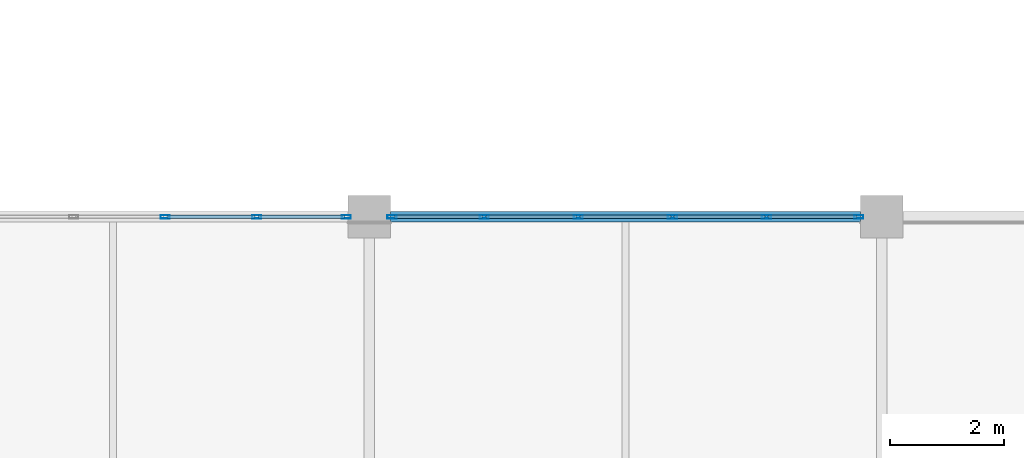
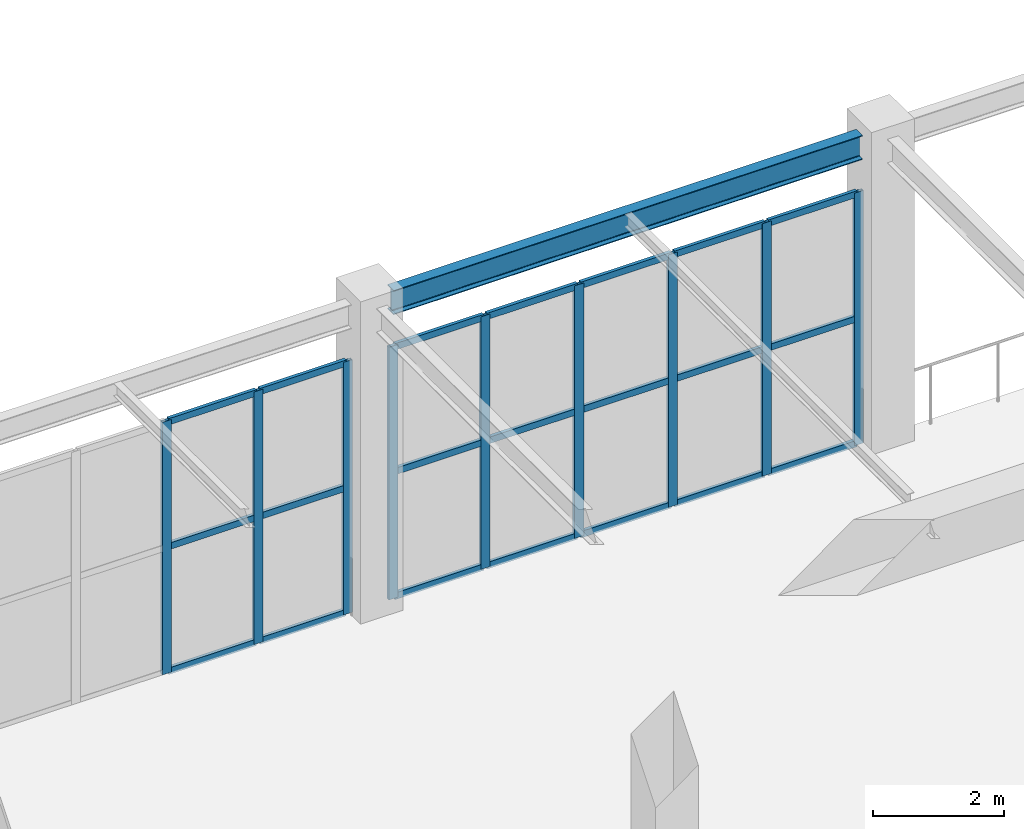
# One storey, part 158 of 223: 30 members, 1 beam, 2 elements without a shape of their own.
"""IFC4 building model written with IfcOpenShell, lengths in metres."""

from ifc_helpers import new_model, si_unit, direction, frame, origin, origin_2d, place, context, subcontext, project, spatial, hollow_rectangle, i_section, extrude, material, layer, layer_set, material_profile, profile_set, type_object, element, aggregate, save


model = new_model("IFC4")

# Units and contexts
model_context = context("Model", 3, precision=1e-05, world=origin(), true_north=direction((0.0, 1.0)))
body_context = subcontext(model_context, "Body", "Model", "MODEL_VIEW")
ifc_project = project(units=[si_unit("LENGTHUNIT", "METRE"), si_unit("AREAUNIT", "SQUARE_METRE"), si_unit("VOLUMEUNIT", "CUBIC_METRE"), si_unit("PLANEANGLEUNIT", "RADIAN"), si_unit("MASSUNIT", "GRAM", prefix="KILO")], contexts=[model_context])

# Site, building, storey
site_placement = place(None, origin())
site = spatial("IfcSite", under=ifc_project, at=site_placement, CompositionType="ELEMENT")
building_placement = place(site_placement, origin())
building = spatial("IfcBuilding", under=site, at=building_placement, Name="Dornveld Trade and Exhibition Forum", CompositionType="ELEMENT")
storey_placement = place(building_placement, frame((0.0, 0.0, 6.0)))
storey = spatial("IfcBuildingStorey", under=building, at=storey_placement, Name="L01", CompositionType="ELEMENT", Elevation=6.0)

# Beam
ifc_material_1 = material(Name="Steel S355J2", Category="steel")
ifc_material_profile_1 = material_profile(ifc_material_1, i_section(OverallWidth=0.18994140625, OverallDepth=0.449951171875, WebThickness=0.009521484375, FlangeThickness=0.0146484375, FilletRadius=0.02099609375, at=origin_2d()), Name="IPE 450")
ifc_profile_set_1 = profile_set([ifc_material_profile_1], Name="Steel S355J2")
beam_type = type_object("IfcBeamType", Name="BM-SEC-450", PredefinedType="BEAM", material=ifc_profile_set_1)
beam_placement = place(storey_placement, frame((180.37109375, 144.0, 5.554931640625), z_axis=(1.0, 0.0, 0.0), x_axis=(0.0, 1.0, 0.0)))
element("IfcBeam", 1, at=beam_placement, inside=storey, type_object=beam_type, Name="L01 X-girder 1768", PredefinedType="BEAM", context=body_context, shape_type="SweptSolid", body=[
    extrude(i_section(OverallWidth=0.18994140625, OverallDepth=0.449951171875, WebThickness=0.009521484375, FlangeThickness=0.0146484375, FilletRadius=0.02099609375, at=origin_2d()), origin(), (0.0, 0.0, 1.0), 8.2578125),
])

# Curtain wall, members
ifc_material_2 = material(Name="Dark-bronze anodised aluminium and low-E glass", Category="aluminium")
ifc_layer_1 = layer(ifc_material_2, 0.166015625)
ifc_layer_set_1 = layer_set([ifc_layer_1], Name="Dark-bronze anodised aluminium and low-E glass")
curtain_wall_type_1 = type_object("IfcCurtainWallType", Name="CW-SYS-08", PredefinedType="USERDEFINED", material=ifc_layer_set_1)
curtain_wall_1_placement = place(storey_placement, origin())
curtain_wall_1 = element("IfcCurtainWall", 2, at=curtain_wall_1_placement, inside=storey, type_object=curtain_wall_type_1, Name="L01 unitised curtain wall 152", ObjectType="UNITISED_CURTAIN_WALL", PredefinedType="USERDEFINED")
ifc_material_3 = material(Name="Dark-bronze anodised aluminium", Category="aluminium")
ifc_material_profile_2 = material_profile(ifc_material_3, hollow_rectangle(XDim=0.06005859375, YDim=0.159912109375, WallThickness=0.00390625, at=origin_2d()), Name="RHS 160x60x4")
ifc_profile_set_2 = profile_set([ifc_material_profile_2], Name="Dark-bronze anodised aluminium")
member_type_1 = type_object("IfcMemberType", Name="CW-MUL-160", PredefinedType="MULLION", material=ifc_profile_set_2)
member_1_placement = place(storey_placement, frame((179.59912109375, 144.0, -0.00390625), z_axis=(0.0, 0.0, 1.0), x_axis=(0.0, -1.0, 0.0)))
member_1 = element("IfcMember", 3, at=member_1_placement, type_object=member_type_1, Name="CW-08 mullion 1", PredefinedType="MULLION", context=body_context, shape_type="SweptSolid", body=[
    extrude(hollow_rectangle(XDim=0.06005859375, YDim=0.159912109375, WallThickness=0.00390625, at=origin_2d()), origin(), (0.0, 0.0, 1.0), 4.703857421875),
])
member_2_placement = place(storey_placement, frame((178.0224609375, 144.0, -0.00390625), z_axis=(0.0, 0.0, 1.0), x_axis=(0.0, -1.0, 0.0)))
member_2 = element("IfcMember", 4, at=member_2_placement, type_object=member_type_1, Name="CW-08 mullion 2", PredefinedType="MULLION", context=body_context, shape_type="SweptSolid", body=[
    extrude(hollow_rectangle(XDim=0.06005859375, YDim=0.159912109375, WallThickness=0.00390625, at=origin_2d()), origin(), (0.0, 0.0, 1.0), 4.703857421875),
])
member_3_placement = place(storey_placement, frame((176.415771484375, 144.0, -0.00390625), z_axis=(0.0, 0.0, 1.0), x_axis=(0.0, -1.0, 0.0)))
member_3 = element("IfcMember", 5, at=member_3_placement, type_object=member_type_1, Name="CW-08 mullion 3", PredefinedType="MULLION", context=body_context, shape_type="SweptSolid", body=[
    extrude(hollow_rectangle(XDim=0.06005859375, YDim=0.159912109375, WallThickness=0.00390625, at=origin_2d()), origin(), (0.0, 0.0, 1.0), 4.703857421875),
])

ifc_material_4 = material(Name="Dark-bronze anodised aluminium and low-E glass", Category="aluminium")
ifc_layer_2 = layer(ifc_material_4, 0.1689453125)
ifc_layer_set_2 = layer_set([ifc_layer_2], Name="Dark-bronze anodised aluminium and low-E glass")
curtain_wall_type_2 = type_object("IfcCurtainWallType", Name="CW-SYS-09", PredefinedType="USERDEFINED", material=ifc_layer_set_2)
curtain_wall_2_placement = place(storey_placement, origin())
curtain_wall_2 = element("IfcCurtainWall", 6, at=curtain_wall_2_placement, inside=storey, type_object=curtain_wall_type_2, Name="L01 unitised curtain wall 153", ObjectType="UNITISED_CURTAIN_WALL", PredefinedType="USERDEFINED")
member_4_placement = place(storey_placement, frame((188.59912109375, 144.0, -0.00390625), z_axis=(0.0, 0.0, 1.0), x_axis=(0.0, -1.0, 0.0)))
member_4 = element("IfcMember", 7, at=member_4_placement, type_object=member_type_1, Name="CW-09 mullion 1", PredefinedType="MULLION", context=body_context, shape_type="SweptSolid", body=[
    extrude(hollow_rectangle(XDim=0.06005859375, YDim=0.159912109375, WallThickness=0.00390625, at=origin_2d()), origin(), (0.0, 0.0, 1.0), 4.703857421875),
])
member_5_placement = place(storey_placement, frame((186.977294921875, 144.0, -0.00390625), z_axis=(0.0, 0.0, 1.0), x_axis=(0.0, -1.0, 0.0)))
member_5 = element("IfcMember", 8, at=member_5_placement, type_object=member_type_1, Name="CW-09 mullion 2", PredefinedType="MULLION", context=body_context, shape_type="SweptSolid", body=[
    extrude(hollow_rectangle(XDim=0.06005859375, YDim=0.159912109375, WallThickness=0.00390625, at=origin_2d()), origin(), (0.0, 0.0, 1.0), 4.703857421875),
])
member_6_placement = place(storey_placement, frame((185.32568359375, 144.0, -0.00390625), z_axis=(0.0, 0.0, 1.0), x_axis=(0.0, -1.0, 0.0)))
member_6 = element("IfcMember", 9, at=member_6_placement, type_object=member_type_1, Name="CW-09 mullion 3", PredefinedType="MULLION", context=body_context, shape_type="SweptSolid", body=[
    extrude(hollow_rectangle(XDim=0.06005859375, YDim=0.159912109375, WallThickness=0.00390625, at=origin_2d()), origin(), (0.0, 0.0, 1.0), 4.703857421875),
])
member_7_placement = place(storey_placement, frame((183.67431640625, 144.0, -0.00390625), z_axis=(0.0, 0.0, 1.0), x_axis=(0.0, -1.0, 0.0)))
member_7 = element("IfcMember", 10, at=member_7_placement, type_object=member_type_1, Name="CW-09 mullion 4", PredefinedType="MULLION", context=body_context, shape_type="SweptSolid", body=[
    extrude(hollow_rectangle(XDim=0.06005859375, YDim=0.159912109375, WallThickness=0.00390625, at=origin_2d()), origin(), (0.0, 0.0, 1.0), 4.703857421875),
])
member_8_placement = place(storey_placement, frame((182.022705078125, 144.0, -0.00390625), z_axis=(0.0, 0.0, 1.0), x_axis=(0.0, -1.0, 0.0)))
member_8 = element("IfcMember", 11, at=member_8_placement, type_object=member_type_1, Name="CW-09 mullion 5", PredefinedType="MULLION", context=body_context, shape_type="SweptSolid", body=[
    extrude(hollow_rectangle(XDim=0.06005859375, YDim=0.159912109375, WallThickness=0.00390625, at=origin_2d()), origin(), (0.0, 0.0, 1.0), 4.703857421875),
])
member_9_placement = place(storey_placement, frame((180.40087890625, 144.0, -0.00390625), z_axis=(0.0, 0.0, 1.0), x_axis=(0.0, -1.0, 0.0)))
member_9 = element("IfcMember", 12, at=member_9_placement, type_object=member_type_1, Name="CW-09 mullion 6", PredefinedType="MULLION", context=body_context, shape_type="SweptSolid", body=[
    extrude(hollow_rectangle(XDim=0.06005859375, YDim=0.159912109375, WallThickness=0.00390625, at=origin_2d()), origin(), (0.0, 0.0, 1.0), 4.703857421875),
])

# Member
ifc_material_5 = material(Name="Dark-bronze anodised aluminium", Category="aluminium")
ifc_material_profile_3 = material_profile(ifc_material_5, hollow_rectangle(XDim=0.06005859375, YDim=0.1201171875, WallThickness=0.00390625, at=origin_2d()), Name="RHS 120x60x4")
ifc_profile_set_3 = profile_set([ifc_material_profile_3], Name="Dark-bronze anodised aluminium")
member_type_2 = type_object("IfcMemberType", Name="CW-TRN-120", PredefinedType="USERDEFINED", material=ifc_profile_set_3)
member_10_placement = place(storey_placement, frame((179.569091796875, 144.0, 0.02587890625), z_axis=(-1.0, 0.0, 0.0), x_axis=(0.0, -1.0, 0.0)))
member_10 = element("IfcMember", 13, at=member_10_placement, type_object=member_type_2, Name="CW-08 transom 1.1", ObjectType="TRANSOM", PredefinedType="USERDEFINED", context=body_context, shape_type="SweptSolid", body=[
    extrude(hollow_rectangle(XDim=0.06005859375, YDim=0.1201171875, WallThickness=0.00390625, at=origin_2d()), origin(), (0.0, 0.0, 1.0), 1.5166015625),
])

member_11_placement = place(storey_placement, frame((179.569091796875, 144.0, 2.347900390625), z_axis=(-1.0, 0.0, 0.0), x_axis=(0.0, -1.0, 0.0)))
member_11 = element("IfcMember", 14, at=member_11_placement, type_object=member_type_2, Name="CW-08 transom 1.2", ObjectType="TRANSOM", PredefinedType="USERDEFINED", context=body_context, shape_type="SweptSolid", body=[
    extrude(hollow_rectangle(XDim=0.06005859375, YDim=0.1201171875, WallThickness=0.00390625, at=origin_2d()), origin(), (0.0, 0.0, 1.0), 1.5166015625),
])

member_12_placement = place(storey_placement, frame((179.569091796875, 144.0, 4.669921875), z_axis=(-1.0, 0.0, 0.0), x_axis=(0.0, -1.0, 0.0)))
member_12 = element("IfcMember", 15, at=member_12_placement, type_object=member_type_2, Name="CW-08 transom 1.3", ObjectType="TRANSOM", PredefinedType="USERDEFINED", context=body_context, shape_type="SweptSolid", body=[
    extrude(hollow_rectangle(XDim=0.06005859375, YDim=0.1201171875, WallThickness=0.00390625, at=origin_2d()), origin(), (0.0, 0.0, 1.0), 1.5166015625),
])

member_13_placement = place(storey_placement, frame((177.992431640625, 144.0, 0.02587890625), z_axis=(-1.0, 0.0, 0.0), x_axis=(0.0, -1.0, 0.0)))
member_13 = element("IfcMember", 16, at=member_13_placement, type_object=member_type_2, Name="CW-08 transom 2.1", ObjectType="TRANSOM", PredefinedType="USERDEFINED", context=body_context, shape_type="SweptSolid", body=[
    extrude(hollow_rectangle(XDim=0.06005859375, YDim=0.1201171875, WallThickness=0.00390625, at=origin_2d()), origin(), (0.0, 0.0, 1.0), 1.546630859375),
])

member_14_placement = place(storey_placement, frame((177.992431640625, 144.0, 2.347900390625), z_axis=(-1.0, 0.0, 0.0), x_axis=(0.0, -1.0, 0.0)))
member_14 = element("IfcMember", 17, at=member_14_placement, type_object=member_type_2, Name="CW-08 transom 2.2", ObjectType="TRANSOM", PredefinedType="USERDEFINED", context=body_context, shape_type="SweptSolid", body=[
    extrude(hollow_rectangle(XDim=0.06005859375, YDim=0.1201171875, WallThickness=0.00390625, at=origin_2d()), origin(), (0.0, 0.0, 1.0), 1.546630859375),
])

member_15_placement = place(storey_placement, frame((177.992431640625, 144.0, 4.669921875), z_axis=(-1.0, 0.0, 0.0), x_axis=(0.0, -1.0, 0.0)))
member_15 = element("IfcMember", 18, at=member_15_placement, type_object=member_type_2, Name="CW-08 transom 2.3", ObjectType="TRANSOM", PredefinedType="USERDEFINED", context=body_context, shape_type="SweptSolid", body=[
    extrude(hollow_rectangle(XDim=0.06005859375, YDim=0.1201171875, WallThickness=0.00390625, at=origin_2d()), origin(), (0.0, 0.0, 1.0), 1.546630859375),
])

aggregate(curtain_wall_1, [member_1, member_2, member_3, member_10, member_11, member_12, member_13, member_14, member_15])

member_16_placement = place(storey_placement, frame((188.569091796875, 144.0, 0.02587890625), z_axis=(-1.0, 0.0, 0.0), x_axis=(0.0, -1.0, 0.0)))
member_16 = element("IfcMember", 19, at=member_16_placement, type_object=member_type_2, Name="CW-09 transom 1.1", ObjectType="TRANSOM", PredefinedType="USERDEFINED", context=body_context, shape_type="SweptSolid", body=[
    extrude(hollow_rectangle(XDim=0.06005859375, YDim=0.1201171875, WallThickness=0.00390625, at=origin_2d()), origin(), (0.0, 0.0, 1.0), 1.561767578125),
])

member_17_placement = place(storey_placement, frame((188.569091796875, 144.0, 2.347900390625), z_axis=(-1.0, 0.0, 0.0), x_axis=(0.0, -1.0, 0.0)))
member_17 = element("IfcMember", 20, at=member_17_placement, type_object=member_type_2, Name="CW-09 transom 1.2", ObjectType="TRANSOM", PredefinedType="USERDEFINED", context=body_context, shape_type="SweptSolid", body=[
    extrude(hollow_rectangle(XDim=0.06005859375, YDim=0.1201171875, WallThickness=0.00390625, at=origin_2d()), origin(), (0.0, 0.0, 1.0), 1.561767578125),
])

member_18_placement = place(storey_placement, frame((188.569091796875, 144.0, 4.669921875), z_axis=(-1.0, 0.0, 0.0), x_axis=(0.0, -1.0, 0.0)))
member_18 = element("IfcMember", 21, at=member_18_placement, type_object=member_type_2, Name="CW-09 transom 1.3", ObjectType="TRANSOM", PredefinedType="USERDEFINED", context=body_context, shape_type="SweptSolid", body=[
    extrude(hollow_rectangle(XDim=0.06005859375, YDim=0.1201171875, WallThickness=0.00390625, at=origin_2d()), origin(), (0.0, 0.0, 1.0), 1.561767578125),
])

member_19_placement = place(storey_placement, frame((186.947509765625, 144.0, 0.02587890625), z_axis=(-1.0, 0.0, 0.0), x_axis=(0.0, -1.0, 0.0)))
member_19 = element("IfcMember", 22, at=member_19_placement, type_object=member_type_2, Name="CW-09 transom 2.1", ObjectType="TRANSOM", PredefinedType="USERDEFINED", context=body_context, shape_type="SweptSolid", body=[
    extrude(hollow_rectangle(XDim=0.06005859375, YDim=0.1201171875, WallThickness=0.00390625, at=origin_2d()), origin(), (0.0, 0.0, 1.0), 1.591796875),
])

member_20_placement = place(storey_placement, frame((186.947509765625, 144.0, 2.347900390625), z_axis=(-1.0, 0.0, 0.0), x_axis=(0.0, -1.0, 0.0)))
member_20 = element("IfcMember", 23, at=member_20_placement, type_object=member_type_2, Name="CW-09 transom 2.2", ObjectType="TRANSOM", PredefinedType="USERDEFINED", context=body_context, shape_type="SweptSolid", body=[
    extrude(hollow_rectangle(XDim=0.06005859375, YDim=0.1201171875, WallThickness=0.00390625, at=origin_2d()), origin(), (0.0, 0.0, 1.0), 1.591796875),
])

member_21_placement = place(storey_placement, frame((186.947509765625, 144.0, 4.669921875), z_axis=(-1.0, 0.0, 0.0), x_axis=(0.0, -1.0, 0.0)))
member_21 = element("IfcMember", 24, at=member_21_placement, type_object=member_type_2, Name="CW-09 transom 2.3", ObjectType="TRANSOM", PredefinedType="USERDEFINED", context=body_context, shape_type="SweptSolid", body=[
    extrude(hollow_rectangle(XDim=0.06005859375, YDim=0.1201171875, WallThickness=0.00390625, at=origin_2d()), origin(), (0.0, 0.0, 1.0), 1.591796875),
])

member_22_placement = place(storey_placement, frame((185.2958984375, 144.0, 0.02587890625), z_axis=(-1.0, 0.0, 0.0), x_axis=(0.0, -1.0, 0.0)))
member_22 = element("IfcMember", 25, at=member_22_placement, type_object=member_type_2, Name="CW-09 transom 3.1", ObjectType="TRANSOM", PredefinedType="USERDEFINED", context=body_context, shape_type="SweptSolid", body=[
    extrude(hollow_rectangle(XDim=0.06005859375, YDim=0.1201171875, WallThickness=0.00390625, at=origin_2d()), origin(), (0.0, 0.0, 1.0), 1.591796875),
])

member_23_placement = place(storey_placement, frame((185.2958984375, 144.0, 2.347900390625), z_axis=(-1.0, 0.0, 0.0), x_axis=(0.0, -1.0, 0.0)))
member_23 = element("IfcMember", 26, at=member_23_placement, type_object=member_type_2, Name="CW-09 transom 3.2", ObjectType="TRANSOM", PredefinedType="USERDEFINED", context=body_context, shape_type="SweptSolid", body=[
    extrude(hollow_rectangle(XDim=0.06005859375, YDim=0.1201171875, WallThickness=0.00390625, at=origin_2d()), origin(), (0.0, 0.0, 1.0), 1.591796875),
])

member_24_placement = place(storey_placement, frame((185.2958984375, 144.0, 4.669921875), z_axis=(-1.0, 0.0, 0.0), x_axis=(0.0, -1.0, 0.0)))
member_24 = element("IfcMember", 27, at=member_24_placement, type_object=member_type_2, Name="CW-09 transom 3.3", ObjectType="TRANSOM", PredefinedType="USERDEFINED", context=body_context, shape_type="SweptSolid", body=[
    extrude(hollow_rectangle(XDim=0.06005859375, YDim=0.1201171875, WallThickness=0.00390625, at=origin_2d()), origin(), (0.0, 0.0, 1.0), 1.591796875),
])

member_25_placement = place(storey_placement, frame((183.644287109375, 144.0, 0.02587890625), z_axis=(-1.0, 0.0, 0.0), x_axis=(0.0, -1.0, 0.0)))
member_25 = element("IfcMember", 28, at=member_25_placement, type_object=member_type_2, Name="CW-09 transom 4.1", ObjectType="TRANSOM", PredefinedType="USERDEFINED", context=body_context, shape_type="SweptSolid", body=[
    extrude(hollow_rectangle(XDim=0.06005859375, YDim=0.1201171875, WallThickness=0.00390625, at=origin_2d()), origin(), (0.0, 0.0, 1.0), 1.591796875),
])

member_26_placement = place(storey_placement, frame((183.644287109375, 144.0, 2.347900390625), z_axis=(-1.0, 0.0, 0.0), x_axis=(0.0, -1.0, 0.0)))
member_26 = element("IfcMember", 29, at=member_26_placement, type_object=member_type_2, Name="CW-09 transom 4.2", ObjectType="TRANSOM", PredefinedType="USERDEFINED", context=body_context, shape_type="SweptSolid", body=[
    extrude(hollow_rectangle(XDim=0.06005859375, YDim=0.1201171875, WallThickness=0.00390625, at=origin_2d()), origin(), (0.0, 0.0, 1.0), 1.591796875),
])

member_27_placement = place(storey_placement, frame((183.644287109375, 144.0, 4.669921875), z_axis=(-1.0, 0.0, 0.0), x_axis=(0.0, -1.0, 0.0)))
member_27 = element("IfcMember", 30, at=member_27_placement, type_object=member_type_2, Name="CW-09 transom 4.3", ObjectType="TRANSOM", PredefinedType="USERDEFINED", context=body_context, shape_type="SweptSolid", body=[
    extrude(hollow_rectangle(XDim=0.06005859375, YDim=0.1201171875, WallThickness=0.00390625, at=origin_2d()), origin(), (0.0, 0.0, 1.0), 1.591796875),
])

member_28_placement = place(storey_placement, frame((181.99267578125, 144.0, 0.02587890625), z_axis=(-1.0, 0.0, 0.0), x_axis=(0.0, -1.0, 0.0)))
member_28 = element("IfcMember", 31, at=member_28_placement, type_object=member_type_2, Name="CW-09 transom 5.1", ObjectType="TRANSOM", PredefinedType="USERDEFINED", context=body_context, shape_type="SweptSolid", body=[
    extrude(hollow_rectangle(XDim=0.06005859375, YDim=0.1201171875, WallThickness=0.00390625, at=origin_2d()), origin(), (0.0, 0.0, 1.0), 1.561767578125),
])

member_29_placement = place(storey_placement, frame((181.99267578125, 144.0, 2.347900390625), z_axis=(-1.0, 0.0, 0.0), x_axis=(0.0, -1.0, 0.0)))
member_29 = element("IfcMember", 32, at=member_29_placement, type_object=member_type_2, Name="CW-09 transom 5.2", ObjectType="TRANSOM", PredefinedType="USERDEFINED", context=body_context, shape_type="SweptSolid", body=[
    extrude(hollow_rectangle(XDim=0.06005859375, YDim=0.1201171875, WallThickness=0.00390625, at=origin_2d()), origin(), (0.0, 0.0, 1.0), 1.561767578125),
])

member_30_placement = place(storey_placement, frame((181.99267578125, 144.0, 4.669921875), z_axis=(-1.0, 0.0, 0.0), x_axis=(0.0, -1.0, 0.0)))
member_30 = element("IfcMember", 33, at=member_30_placement, type_object=member_type_2, Name="CW-09 transom 5.3", ObjectType="TRANSOM", PredefinedType="USERDEFINED", context=body_context, shape_type="SweptSolid", body=[
    extrude(hollow_rectangle(XDim=0.06005859375, YDim=0.1201171875, WallThickness=0.00390625, at=origin_2d()), origin(), (0.0, 0.0, 1.0), 1.561767578125),
])

aggregate(curtain_wall_2, [member_4, member_5, member_6, member_7, member_8, member_9, member_16, member_17, member_18, member_19, member_20, member_21, member_22, member_23, member_24, member_25, member_26, member_27, member_28, member_29, member_30])

save(model, "model.ifc")
